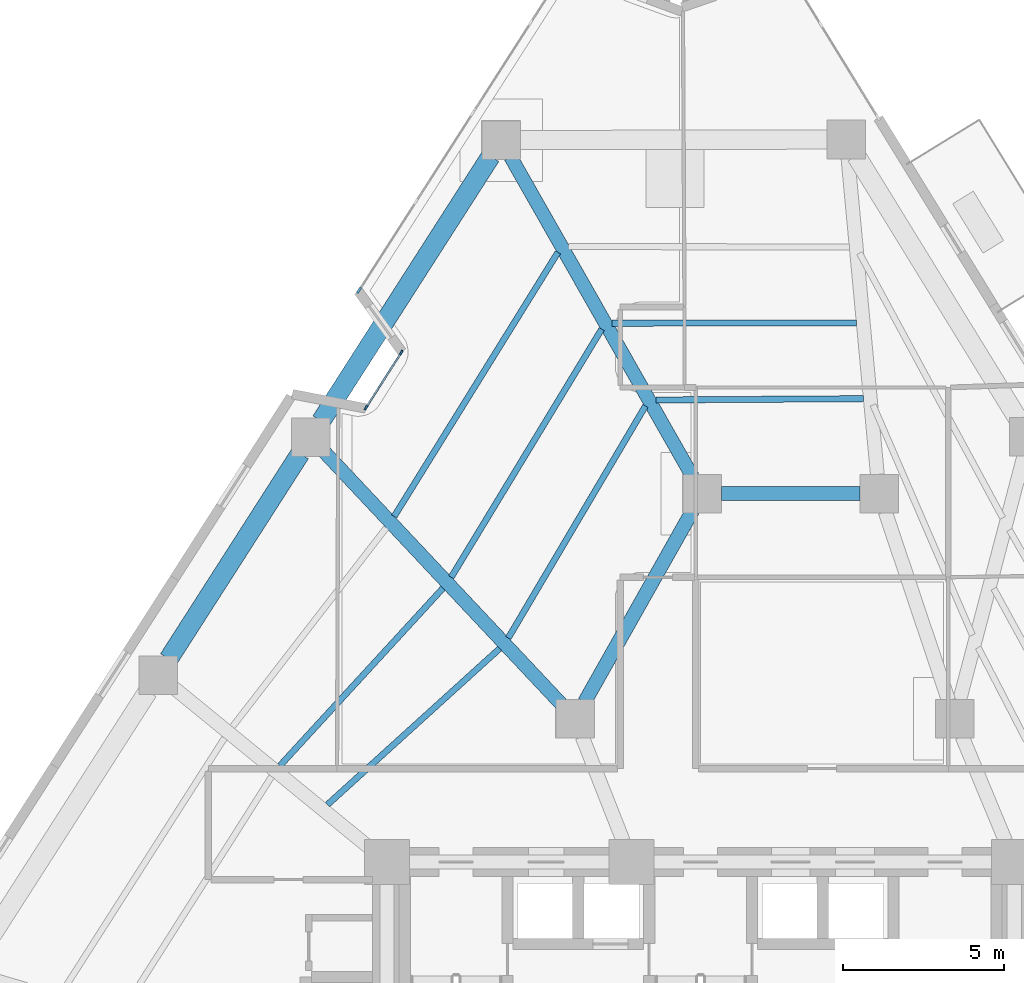
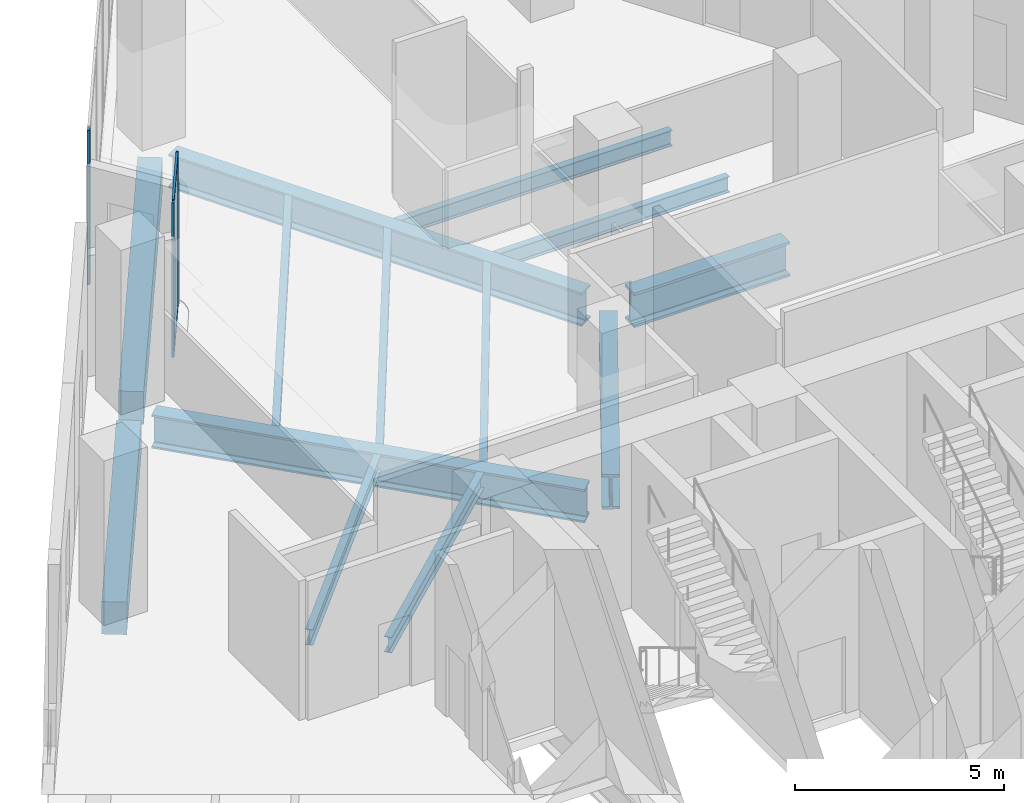
# One storey, part 3 of 13: 13 beams, 5 members, 2 elements without a shape of their own.
"""IFC4 building model written with IfcOpenShell, lengths in metres."""

from ifc_helpers import new_model, si_unit, direction, frame, origin, origin_2d, place, context, subcontext, project, spatial, rectangle, i_section, extrude, material, layer, layer_set, material_profile, profile_set, type_object, element, aggregate, save


model = new_model("IFC4")

# Units and contexts
model_context = context("Model", 3, precision=1e-05, world=origin(), true_north=direction((0.0, 1.0)))
body_context = subcontext(model_context, "Body", "Model", "MODEL_VIEW")
ifc_project = project(units=[si_unit("LENGTHUNIT", "METRE"), si_unit("AREAUNIT", "SQUARE_METRE"), si_unit("VOLUMEUNIT", "CUBIC_METRE"), si_unit("PLANEANGLEUNIT", "RADIAN"), si_unit("MASSUNIT", "GRAM", prefix="KILO")], contexts=[model_context])

# Site, building, storey
site_placement = place(None, origin())
site = spatial("IfcSite", under=ifc_project, at=site_placement, CompositionType="ELEMENT")
building_placement = place(site_placement, origin())
building = spatial("IfcBuilding", under=site, at=building_placement, Name="Almagre Mirador Tower", CompositionType="ELEMENT")
storey_placement = place(building_placement, frame((0.0, 0.0, 100.199951171875)))
storey = spatial("IfcBuildingStorey", under=building, at=storey_placement, Name="L25", CompositionType="ELEMENT", Elevation=100.199951171875)

# Beams
ifc_material_1 = material(Name="Steel ASTM A992 Grade 50", Category="steel")
ifc_material_profile_1 = material_profile(ifc_material_1, i_section(OverallWidth=0.19091796875, OverallDepth=0.4599609375, WebThickness=0.010009765625, FlangeThickness=0.01611328125, FilletRadius=0.01611328125, at=origin_2d()), Name="W18X55")
ifc_profile_set_1 = profile_set([ifc_material_profile_1], Name="Steel ASTM A992 Grade 50")
beam_type_1 = type_object("IfcBeamType", Name="BM-JST-W18X55", PredefinedType="JOIST", material=ifc_profile_set_1)
beam_1_placement = place(storey_placement, frame((42.142333984375, 31.50732421875, -0.530029296875), z_axis=(-0.999998857543, -0.001511592523, 0.0), x_axis=(0.001511592523, -0.999998857543, 0.0)))
element("IfcBeam", 1, at=beam_1_placement, inside=storey, type_object=beam_type_1, Name="L25 secondary floor joist PC08-PC09.2", PredefinedType="JOIST", context=body_context, shape_type="SweptSolid", body=[
    extrude(i_section(OverallWidth=0.19091796875, OverallDepth=0.4599609375, WebThickness=0.010009765625, FlangeThickness=0.01611328125, FilletRadius=0.01611328125, at=origin_2d()), origin(), (0.0, 0.0, 1.0), 7.591064453125),
])
beam_2_placement = place(storey_placement, frame((42.361328125, 29.151123046875, -0.530029296875), z_axis=(-0.999979554323, -0.006394602114, 0.0), x_axis=(0.006394602114, -0.999979554323, 0.0)))
element("IfcBeam", 2, at=beam_2_placement, inside=storey, type_object=beam_type_1, Name="L25 secondary floor joist PC08-PC09.3", PredefinedType="JOIST", context=body_context, shape_type="SweptSolid", body=[
    extrude(i_section(OverallWidth=0.19091796875, OverallDepth=0.4599609375, WebThickness=0.010009765625, FlangeThickness=0.01611328125, FilletRadius=0.01611328125, at=origin_2d()), origin(), (0.0, 0.0, 1.0), 6.452392578125),
])
beam_3_placement = place(storey_placement, frame((32.8662109375, 33.70068359375, -0.530029296875), z_axis=(-0.527025078824, -0.849849731594, 0.0), x_axis=(0.849849731594, -0.527025078824, 0.0)))
element("IfcBeam", 3, at=beam_3_placement, inside=storey, type_object=beam_type_1, Name="L25 secondary floor joist PC09-PC10.1", PredefinedType="JOIST", context=body_context, shape_type="SweptSolid", body=[
    extrude(i_section(OverallWidth=0.19091796875, OverallDepth=0.4599609375, WebThickness=0.010009765625, FlangeThickness=0.01611328125, FilletRadius=0.01611328125, at=origin_2d()), origin(), (0.0, 0.0, 1.0), 9.662841796875),
])
beam_4_placement = place(storey_placement, frame((34.226318359375, 31.3125, -0.530029296875), z_axis=(-0.51862919068, -0.854999276359, 0.0), x_axis=(0.854999276359, -0.51862919068, 0.0)))
element("IfcBeam", 4, at=beam_4_placement, inside=storey, type_object=beam_type_1, Name="L25 secondary floor joist PC09-PC10.2", PredefinedType="JOIST", context=body_context, shape_type="SweptSolid", body=[
    extrude(i_section(OverallWidth=0.19091796875, OverallDepth=0.4599609375, WebThickness=0.010009765625, FlangeThickness=0.01611328125, FilletRadius=0.01611328125, at=origin_2d()), origin(), (0.0, 0.0, 1.0), 9.020263671875),
])
beam_5_placement = place(storey_placement, frame((35.586181640625, 28.92431640625, -0.530029296875), z_axis=(-0.508893233188, -0.860829644712, 0.0), x_axis=(0.860829644712, -0.508893233188, 0.0)))
element("IfcBeam", 5, at=beam_5_placement, inside=storey, type_object=beam_type_1, Name="L25 secondary floor joist PC09-PC10.3", PredefinedType="JOIST", context=body_context, shape_type="SweptSolid", body=[
    extrude(i_section(OverallWidth=0.19091796875, OverallDepth=0.4599609375, WebThickness=0.010009765625, FlangeThickness=0.01611328125, FilletRadius=0.01611328125, at=origin_2d()), origin(), (0.0, 0.0, 1.0), 8.37939453125),
])
beam_6_placement = place(storey_placement, frame((29.292236328125, 23.259521484375, -0.530029296875), z_axis=(-0.676538846578, -0.73640694529, 0.0), x_axis=(0.73640694529, -0.676538846578, 0.0)))
element("IfcBeam", 6, at=beam_6_placement, inside=storey, type_object=beam_type_1, Name="L25 secondary floor joist PC10-PC11.2", PredefinedType="JOIST", context=body_context, shape_type="SweptSolid", body=[
    extrude(i_section(OverallWidth=0.19091796875, OverallDepth=0.4599609375, WebThickness=0.010009765625, FlangeThickness=0.01611328125, FilletRadius=0.01611328125, at=origin_2d()), origin(), (0.0, 0.0, 1.0), 7.4912109375),
])
beam_7_placement = place(storey_placement, frame((31.054443359375, 21.38330078125, -0.530029296875), z_axis=(-0.7409990396, -0.671506085834, 0.0), x_axis=(0.671506085834, -0.7409990396, 0.0)))
element("IfcBeam", 7, at=beam_7_placement, inside=storey, type_object=beam_type_1, Name="L25 secondary floor joist PC10-PC11.3", PredefinedType="JOIST", context=body_context, shape_type="SweptSolid", body=[
    extrude(i_section(OverallWidth=0.19091796875, OverallDepth=0.4599609375, WebThickness=0.010009765625, FlangeThickness=0.01611328125, FilletRadius=0.01611328125, at=origin_2d()), origin(), (0.0, 0.0, 1.0), 7.22314453125),
])
ifc_material_2 = material(Name="Precast concrete C50/60", Category="concrete")
ifc_material_profile_2 = material_profile(ifc_material_2, rectangle(XDim=0.60009765625, YDim=0.949951171875, at=origin_2d()), Name="RC600X950")
ifc_profile_set_2 = profile_set([ifc_material_profile_2], Name="Precast concrete C50/60")
beam_type_2 = type_object("IfcBeamType", Name="BM-SPN-RC600X950", PredefinedType="SPANDREL", material=ifc_profile_set_2)
beam_8_placement = place(storey_placement, frame((30.7744140625, 36.683837890625, -0.77490234375), z_axis=(-0.539465454843, -0.842007733356, 0.0), x_axis=(0.842007733356, -0.539465454843, 0.0)))
element("IfcBeam", 8, at=beam_8_placement, inside=storey, type_object=beam_type_2, Name="L25 perimeter spandrel beam PC09-PC10", PredefinedType="SPANDREL", context=body_context, shape_type="SweptSolid", body=[
    extrude(rectangle(XDim=0.60009765625, YDim=0.949951171875, at=origin_2d()), origin(), (0.0, 0.0, 1.0), 9.77392578125),
])
beam_9_placement = place(storey_placement, frame((24.854248046875, 27.44384765625, -0.77490234375), z_axis=(-0.539465888447, -0.84200745555, 0.0), x_axis=(0.84200745555, -0.539465888447, 0.0)))
element("IfcBeam", 9, at=beam_9_placement, inside=storey, type_object=beam_type_2, Name="L25 perimeter spandrel beam PC10-PC11", PredefinedType="SPANDREL", context=body_context, shape_type="SweptSolid", body=[
    extrude(rectangle(XDim=0.60009765625, YDim=0.949951171875, at=origin_2d()), origin(), (0.0, 0.0, 1.0), 7.5791015625),
])
ifc_material_3 = material(Name="Steel ASTM A992 Grade 50", Category="steel")
ifc_material_profile_3 = material_profile(ifc_material_3, i_section(OverallWidth=0.427978515625, OverallDepth=0.97509765625, WebThickness=0.031005859375, FlangeThickness=0.055908203125, FilletRadius=0.028076171875, at=origin_2d()), Name="W36X395")
ifc_profile_set_3 = profile_set([ifc_material_profile_3], Name="Steel ASTM A992 Grade 50")
beam_type_3 = type_object("IfcBeamType", Name="BM-STL-W36X395", PredefinedType="BEAM", material=ifc_profile_set_3)
beam_10_placement = place(storey_placement, frame((31.394775390625, 36.66748046875, -0.787353515625), z_axis=(0.494490623946, -0.869182962805, 0.0), x_axis=(0.869182962805, 0.494490623946, 0.0)))
element("IfcBeam", 10, at=beam_10_placement, inside=storey, type_object=beam_type_3, Name="L25 radial floor girder PC09-MC7", PredefinedType="BEAM", context=body_context, shape_type="SweptSolid", body=[
    extrude(i_section(OverallWidth=0.427978515625, OverallDepth=0.97509765625, WebThickness=0.031005859375, FlangeThickness=0.055908203125, FilletRadius=0.028076171875, at=origin_2d()), origin(), (0.0, 0.0, 1.0), 11.44287109375),
])
beam_11_placement = place(storey_placement, frame((25.5888671875, 27.51171875, -0.787353515625), z_axis=(0.684816925133, -0.728715156321, 0.0), x_axis=(0.728715156321, 0.684816925133, 0.0)))
element("IfcBeam", 11, at=beam_11_placement, inside=storey, type_object=beam_type_3, Name="L25 radial floor girder PC10-MC8", PredefinedType="BEAM", context=body_context, shape_type="SweptSolid", body=[
    extrude(i_section(OverallWidth=0.427978515625, OverallDepth=0.97509765625, WebThickness=0.031005859375, FlangeThickness=0.055908203125, FilletRadius=0.028076171875, at=origin_2d()), origin(), (0.0, 0.0, 1.0), 10.805908203125),
])
ifc_material_4 = material(Name="Steel ASTM A992 Grade 50", Category="steel")
ifc_material_profile_4 = material_profile(ifc_material_4, i_section(OverallWidth=0.43701171875, OverallDepth=1.010986328125, WebThickness=0.041015625, FlangeThickness=0.073974609375, FilletRadius=0.028076171875, at=origin_2d()), Name="W36X529")
ifc_profile_set_4 = profile_set([ifc_material_profile_4], Name="Steel ASTM A992 Grade 50")
beam_type_4 = type_object("IfcBeamType", Name="BM-STL-W36X529", PredefinedType="BEAM", material=ifc_profile_set_4)
beam_12_placement = place(storey_placement, frame((37.949951171875, 26.199951171875, -0.805419921875), z_axis=(1.0, 0.0, 0.0), x_axis=(0.0, 1.0, 0.0)))
element("IfcBeam", 12, at=beam_12_placement, inside=storey, type_object=beam_type_4, Name="L25 core tie girder MC7-MC6", PredefinedType="BEAM", context=body_context, shape_type="SweptSolid", body=[
    extrude(i_section(OverallWidth=0.43701171875, OverallDepth=1.010986328125, WebThickness=0.041015625, FlangeThickness=0.073974609375, FilletRadius=0.028076171875, at=origin_2d()), origin(), (0.0, 0.0, 1.0), 4.300048828125),
])
beam_13_placement = place(storey_placement, frame((37.05517578125, 25.677490234375, -0.805419921875), z_axis=(-0.491440637516, -0.870911074564, 0.0), x_axis=(0.870911074564, -0.491440637516, 0.0)))
element("IfcBeam", 13, at=beam_13_placement, inside=storey, type_object=beam_type_4, Name="L25 core tie girder MC7-MC8", PredefinedType="BEAM", context=body_context, shape_type="SweptSolid", body=[
    extrude(i_section(OverallWidth=0.43701171875, OverallDepth=1.010986328125, WebThickness=0.041015625, FlangeThickness=0.073974609375, FilletRadius=0.028076171875, at=origin_2d()), origin(), (0.0, 0.0, 1.0), 6.837646484375),
])

# Curtain wall, members
ifc_material_5 = material(Name="Black anodized aluminium", Category="aluminium")
ifc_layer_1 = layer(ifc_material_5, 0.169921875)
ifc_layer_set_1 = layer_set([ifc_layer_1], Name="Black anodized aluminium")
curtain_wall_type_1 = type_object("IfcCurtainWallType", Name="CW-CRS-SYS", PredefinedType="NOTDEFINED", material=ifc_layer_set_1)
curtain_wall_1_placement = place(storey_placement, origin())
curtain_wall_1 = element("IfcCurtainWall", 14, at=curtain_wall_1_placement, inside=storey, type_object=curtain_wall_type_1, Name="L25 vertical crease curtain wall 01", PredefinedType="NOTDEFINED")
ifc_material_6 = material(Name="Black anodized aluminium", Category="aluminium")
ifc_material_profile_5 = material_profile(ifc_material_6, rectangle(XDim=0.06005859375, YDim=0.14990234375, at=origin_2d()), Name="CWM60X150")
ifc_profile_set_5 = profile_set([ifc_material_profile_5], Name="Black anodized aluminium")
member_type_1 = type_object("IfcMemberType", Name="MBR-CWM60X150", PredefinedType="MULLION", material=ifc_profile_set_5)
member_1_placement = place(storey_placement, frame((26.901123046875, 28.876220703125, 0.0), z_axis=(0.0, 0.0, 1.0), x_axis=(-0.842141027103, 0.539257350873, 0.0)))
member_1 = element("IfcMember", 15, at=member_1_placement, type_object=member_type_1, Name="CW-4 mullion 1", PredefinedType="MULLION", context=body_context, shape_type="SweptSolid", body=[
    extrude(rectangle(XDim=0.06005859375, YDim=0.14990234375, at=origin_2d()), origin(), (0.0, 0.0, 1.0), 4.5),
])
member_2_placement = place(storey_placement, frame((27.995849609375, 30.585693359375, 0.0), z_axis=(0.0, 0.0, 1.0), x_axis=(-0.842141027103, 0.539257350873, 0.0)))
member_2 = element("IfcMember", 16, at=member_2_placement, type_object=member_type_1, Name="CW-4 mullion 2", PredefinedType="MULLION", context=body_context, shape_type="SweptSolid", body=[
    extrude(rectangle(XDim=0.06005859375, YDim=0.14990234375, at=origin_2d()), origin(), (0.0, 0.0, 1.0), 4.5),
])

# Curtain wall, member
ifc_material_7 = material(Name="Black anodized aluminium", Category="aluminium")
ifc_layer_2 = layer(ifc_material_7, 0.22998046875)
ifc_layer_set_2 = layer_set([ifc_layer_2], Name="Black anodized aluminium")
curtain_wall_type_2 = type_object("IfcCurtainWallType", Name="CW-SKY-SYS", PredefinedType="NOTDEFINED", material=ifc_layer_set_2)
curtain_wall_2_placement = place(storey_placement, origin())
curtain_wall_2 = element("IfcCurtainWall", 17, at=curtain_wall_2_placement, inside=storey, type_object=curtain_wall_type_2, Name="L25 curtain wall run 02", PredefinedType="NOTDEFINED")
ifc_material_8 = material(Name="Black anodized aluminium", Category="aluminium")
ifc_material_profile_6 = material_profile(ifc_material_8, rectangle(XDim=0.070068359375, YDim=0.2099609375, at=origin_2d()), Name="CWM70X210")
ifc_profile_set_6 = profile_set([ifc_material_profile_6], Name="Black anodized aluminium")
member_type_2 = type_object("IfcMemberType", Name="MBR-CWM70X210", PredefinedType="MULLION", material=ifc_profile_set_6)
member_3_placement = place(storey_placement, frame((26.681884765625, 32.5205078125, 0.0), z_axis=(0.0, 0.0, 1.0), x_axis=(-0.841991035603, 0.539491516118, 0.0)))
member_3 = element("IfcMember", 18, at=member_3_placement, type_object=member_type_2, Name="CW-5 mullion 1", PredefinedType="MULLION", context=body_context, shape_type="SweptSolid", body=[
    extrude(rectangle(XDim=0.070068359375, YDim=0.2099609375, at=origin_2d()), origin(), (0.0, 0.0, 1.0), 4.5),
])
aggregate(curtain_wall_2, [member_3])

# Member
ifc_material_9 = material(Name="Black anodized aluminium", Category="aluminium")
ifc_material_profile_7 = material_profile(ifc_material_9, rectangle(XDim=0.06005859375, YDim=0.1298828125, at=origin_2d()), Name="CWT60X130")
ifc_profile_set_7 = profile_set([ifc_material_profile_7], Name="Black anodized aluminium")
member_type_3 = type_object("IfcMemberType", Name="MBR-CWT60X130", PredefinedType="USERDEFINED", material=ifc_profile_set_7)
member_4_placement = place(storey_placement, frame((26.917236328125, 28.901611328125, 0.030029296875), z_axis=(0.539335001379, 0.842091299259, 0.0), x_axis=(-0.842091299259, 0.539335001379, 0.0)))
member_4 = element("IfcMember", 19, at=member_4_placement, type_object=member_type_3, Name="CW-4 transom 1.1", ObjectType="TRANSOM", PredefinedType="USERDEFINED", context=body_context, shape_type="SweptSolid", body=[
    extrude(rectangle(XDim=0.06005859375, YDim=0.1298828125, at=origin_2d()), origin(), (0.0, 0.0, 1.0), 1.969970703125),
])

member_5_placement = place(storey_placement, frame((26.917236328125, 28.901611328125, 4.469970703125), z_axis=(0.539335001379, 0.842091299259, 0.0), x_axis=(-0.842091299259, 0.539335001379, 0.0)))
member_5 = element("IfcMember", 20, at=member_5_placement, type_object=member_type_3, Name="CW-4 transom 1.2", ObjectType="TRANSOM", PredefinedType="USERDEFINED", context=body_context, shape_type="SweptSolid", body=[
    extrude(rectangle(XDim=0.06005859375, YDim=0.1298828125, at=origin_2d()), origin(), (0.0, 0.0, 1.0), 1.969970703125),
])

aggregate(curtain_wall_1, [member_1, member_2, member_4, member_5])

save(model, "model.ifc")
